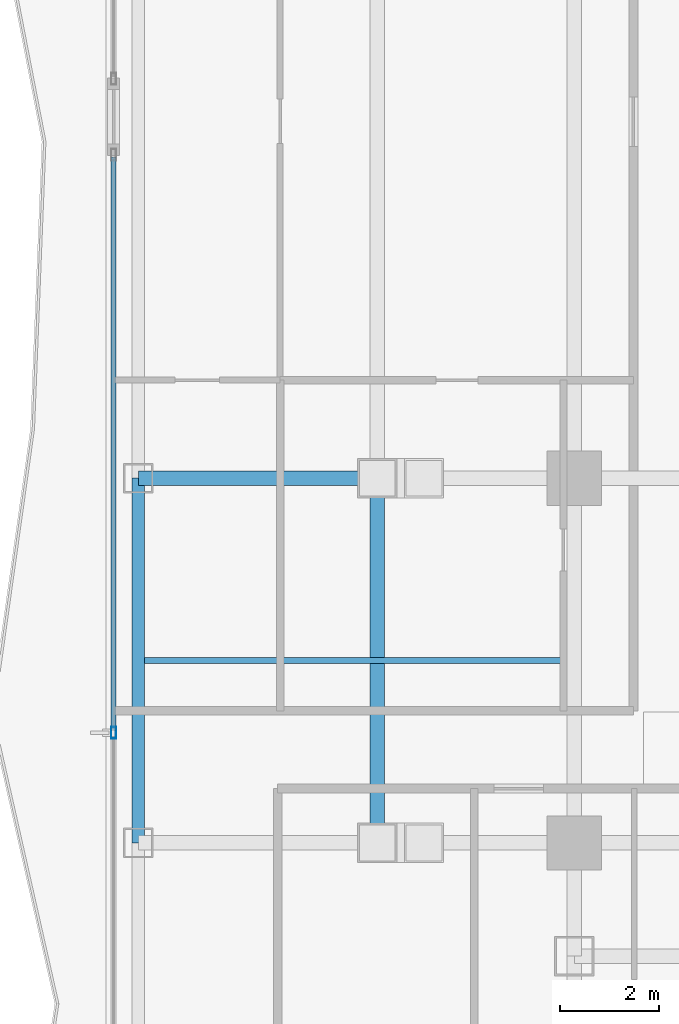
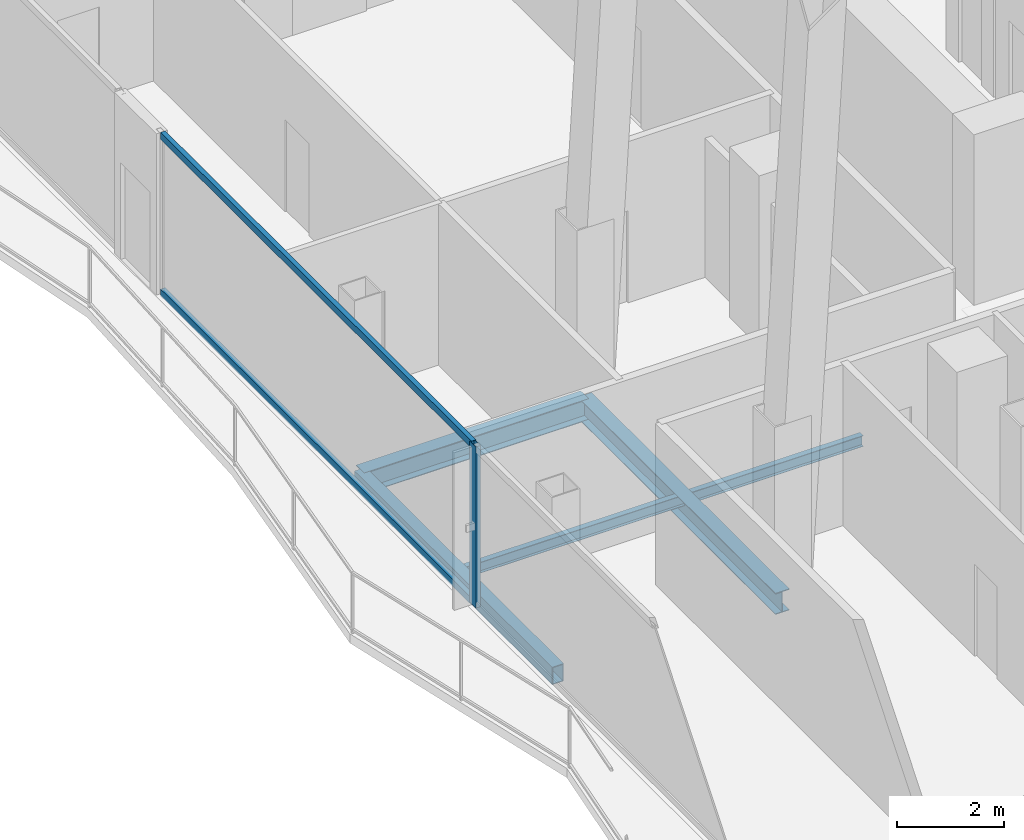
# One storey, part 5 of 27: 4 beams, 3 members, 1 element without a shape of its own.
"""IFC4 building model written with IfcOpenShell, lengths in metres."""

from ifc_helpers import new_model, si_unit, direction, frame, origin, origin_2d, place, context, subcontext, project, spatial, hollow_rectangle, i_section, extrude, material, layer, layer_set, material_profile, profile_set, type_object, element, aggregate, save


model = new_model("IFC4")

# Units and contexts
model_context = context("Model", 3, precision=1e-05, world=origin(), true_north=direction((0.0, 1.0)))
body_context = subcontext(model_context, "Body", "Model", "MODEL_VIEW")
ifc_project = project(units=[si_unit("LENGTHUNIT", "METRE"), si_unit("AREAUNIT", "SQUARE_METRE"), si_unit("VOLUMEUNIT", "CUBIC_METRE"), si_unit("PLANEANGLEUNIT", "RADIAN"), si_unit("MASSUNIT", "GRAM", prefix="KILO")], contexts=[model_context])

# Site, building, storey
site_placement = place(None, origin())
site = spatial("IfcSite", under=ifc_project, at=site_placement, CompositionType="ELEMENT")
building_placement = place(site_placement, origin())
building = spatial("IfcBuilding", under=site, at=building_placement, Name="Khorvyn Point Tower", CompositionType="ELEMENT")
storey_placement = place(building_placement, frame((0.0, 0.0, 203.10009765625)))
storey = spatial("IfcBuildingStorey", under=building, at=storey_placement, Name="L50", CompositionType="ELEMENT", Elevation=203.10009765625)

# Curtain wall, members
ifc_material_1 = material(Name="Anodised aluminium 6063-T6 and laminated Low-E glass", Category="aluminium")
ifc_layer = layer(ifc_material_1, 0.18994140625)
ifc_layer_set = layer_set([ifc_layer], Name="Stick-Built Acoustic Curtain Wall CW-SYS-03")
curtain_wall_type = type_object("IfcCurtainWallType", Name="Stick-Built Acoustic Curtain Wall CW-SYS-03", PredefinedType="NOTDEFINED", material=ifc_layer_set)
curtain_wall_placement = place(storey_placement, origin())
curtain_wall = element("IfcCurtainWall", 1, at=curtain_wall_placement, inside=storey, type_object=curtain_wall_type, Name="Curtain Wall", PredefinedType="NOTDEFINED")
ifc_material_2 = material(Name="Anodised aluminium 6063-T6", Category="aluminium")
ifc_material_profile_1 = material_profile(ifc_material_2, hollow_rectangle(XDim=0.10009765625, YDim=0.239990234375, WallThickness=0.0048828125, at=origin_2d()))
ifc_profile_set_1 = profile_set([ifc_material_profile_1], Name="Anodised aluminium 6063-T6 ALU-MUL-100x240")
member_type_1 = type_object("IfcMemberType", Name="Anodised Aluminium 6063-T6 Mullion ALU-MUL-100x240", PredefinedType="MULLION", material=ifc_profile_set_1)
member_1_placement = place(storey_placement, frame((-24.14990234375, -12.56640625, 0.0), z_axis=(0.0, 0.0, 1.0), x_axis=(-1.0, 0.0, 0.0)))
member_1 = element("IfcMember", 2, at=member_1_placement, type_object=member_type_1, Name="Transom", PredefinedType="MULLION", context=body_context, shape_type="SweptSolid", body=[
    extrude(hollow_rectangle(XDim=0.10009765625, YDim=0.239990234375, WallThickness=0.0048828125, at=origin_2d()), origin(), (0.0, 0.0, 1.0), 3.679931640625),
])
ifc_material_profile_2 = material_profile(ifc_material_2, hollow_rectangle(XDim=0.10009765625, YDim=0.159912109375, WallThickness=0.00439453125, at=origin_2d()))
ifc_profile_set_2 = profile_set([ifc_material_profile_2], Name="Anodised aluminium 6063-T6 ALU-TRN-100x160")
member_type_2 = type_object("IfcMemberType", Name="Anodised Aluminium 6063-T6 Transom ALU-TRN-100x160", PredefinedType="USERDEFINED", material=ifc_profile_set_2)
member_2_placement = place(storey_placement, frame((-24.14990234375, -12.5166015625, 0.0498046875), z_axis=(0.0, 1.0, 0.0), x_axis=(-1.0, 0.0, 0.0)))
member_2 = element("IfcMember", 3, at=member_2_placement, type_object=member_type_2, Name="Transom", ObjectType="TRANSOM", PredefinedType="USERDEFINED", context=body_context, shape_type="SweptSolid", body=[
    extrude(hollow_rectangle(XDim=0.10009765625, YDim=0.159912109375, WallThickness=0.00439453125, at=origin_2d()), origin(), (0.0, 0.0, 1.0), 11.633544921875),
])
member_3_placement = place(storey_placement, frame((-24.14990234375, -12.5166015625, 3.6298828125), z_axis=(0.0, 1.0, 0.0), x_axis=(-1.0, 0.0, 0.0)))
member_3 = element("IfcMember", 4, at=member_3_placement, type_object=member_type_2, Name="Transom", ObjectType="TRANSOM", PredefinedType="USERDEFINED", context=body_context, shape_type="SweptSolid", body=[
    extrude(hollow_rectangle(XDim=0.10009765625, YDim=0.159912109375, WallThickness=0.00439453125, at=origin_2d()), origin(), (0.0, 0.0, 1.0), 11.633544921875),
])
aggregate(curtain_wall, [member_1, member_2, member_3])

# Beams
ifc_material_3 = material(Name="Steel S355", Category="steel")
ifc_material_profile_3 = material_profile(ifc_material_3, i_section(OverallWidth=0.125, OverallDepth=0.25, WebThickness=0.006103515625, FlangeThickness=0.009033203125, at=origin_2d()))
ifc_profile_set_3 = profile_set([ifc_material_profile_3], Name="Steel S355 H250x125x6x9")
beam_type_1 = type_object("IfcBeamType", Name="Steel S355 Joist H250x125x6x9", PredefinedType="JOIST", material=ifc_profile_set_3)
beam_1_placement = place(storey_placement, frame((-23.52490234375, -11.10009765625, -0.34521484375), z_axis=(1.0, 0.0, 0.0), x_axis=(0.0, 1.0, 0.0)))
element("IfcBeam", 5, at=beam_1_placement, inside=storey, type_object=beam_type_1, Name="Beam", PredefinedType="JOIST", context=body_context, shape_type="SweptSolid", body=[
    extrude(i_section(OverallWidth=0.125, OverallDepth=0.25, WebThickness=0.006103515625, FlangeThickness=0.009033203125, at=origin_2d()), origin(), (0.0, 0.0, 1.0), 8.574951171875),
])
ifc_material_profile_4 = material_profile(ifc_material_3, i_section(OverallWidth=0.300048828125, OverallDepth=0.488037109375, WebThickness=0.010986328125, FlangeThickness=0.01806640625, at=origin_2d()))
ifc_profile_set_4 = profile_set([ifc_material_profile_4], Name="Steel S355 H488x300x11x18")
beam_type_2 = type_object("IfcBeamType", Name="Steel S355 Spandrel H488x300x11x18", PredefinedType="SPANDREL", material=ifc_profile_set_4)
beam_2_placement = place(storey_placement, frame((-23.64990234375, -7.39990234375, -0.464111328125), z_axis=(1.0, 0.0, 0.0), x_axis=(0.0, 1.0, 0.0)))
element("IfcBeam", 6, at=beam_2_placement, inside=storey, type_object=beam_type_2, Name="Beam", PredefinedType="SPANDREL", context=body_context, shape_type="SweptSolid", body=[
    extrude(i_section(OverallWidth=0.300048828125, OverallDepth=0.488037109375, WebThickness=0.010986328125, FlangeThickness=0.01806640625, at=origin_2d()), origin(), (0.0, 0.0, 1.0), 4.849853515625),
])
beam_3_placement = place(storey_placement, frame((-18.800048828125, -14.800048828125, -0.464111328125), z_axis=(0.0, 1.0, 0.0), x_axis=(-1.0, 0.0, 0.0)))
element("IfcBeam", 7, at=beam_3_placement, inside=storey, type_object=beam_type_2, Name="Beam", PredefinedType="SPANDREL", context=body_context, shape_type="SweptSolid", body=[
    extrude(i_section(OverallWidth=0.300048828125, OverallDepth=0.488037109375, WebThickness=0.010986328125, FlangeThickness=0.01806640625, at=origin_2d()), origin(), (0.0, 0.0, 1.0), 7.400146484375),
])
ifc_material_profile_5 = material_profile(ifc_material_3, hollow_rectangle(XDim=0.25, YDim=0.39990234375, WallThickness=0.01611328125, at=origin_2d()))
ifc_profile_set_5 = profile_set([ifc_material_profile_5], Name="Steel S355 RHS400x250x16")
beam_type_3 = type_object("IfcBeamType", Name="Steel S355 Spandrel RHS400x250x16", PredefinedType="SPANDREL", material=ifc_profile_set_5)
beam_4_placement = place(storey_placement, frame((-23.64990234375, -14.800048828125, -0.420166015625), z_axis=(0.0, 1.0, 0.0), x_axis=(-1.0, 0.0, 0.0)))
element("IfcBeam", 8, at=beam_4_placement, inside=storey, type_object=beam_type_3, Name="Beam", PredefinedType="SPANDREL", context=body_context, shape_type="SweptSolid", body=[
    extrude(hollow_rectangle(XDim=0.25, YDim=0.39990234375, WallThickness=0.01611328125, at=origin_2d()), origin(), (0.0, 0.0, 1.0), 7.400146484375),
])

save(model, "model.ifc")
